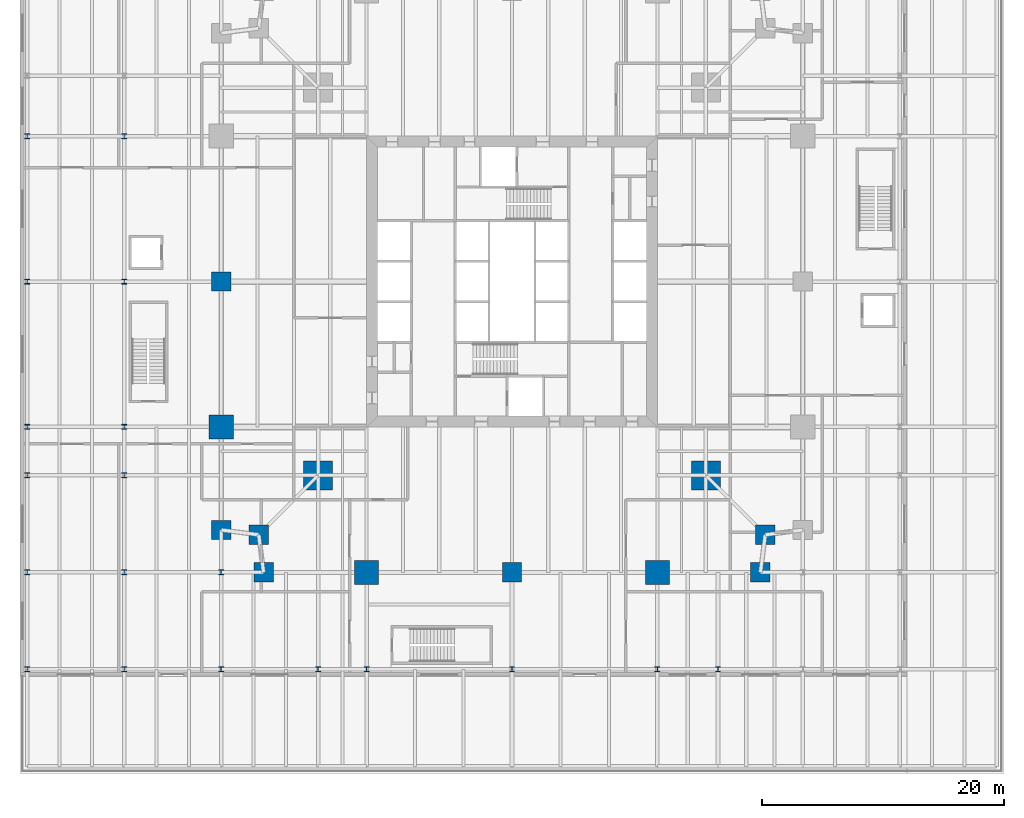
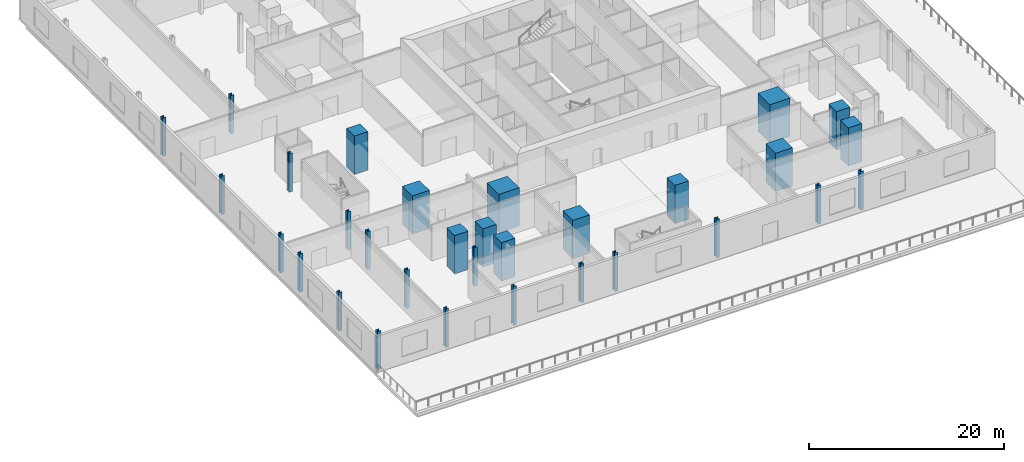
# One storey, part 1 of 18: 31 columns.
"""IFC4 building model written with IfcOpenShell, lengths in metres."""

import ifcopenshell
import ifcopenshell.guid

model = None  # the IFC model being written
_history = None  # IfcOwnerHistory: only IFC2X3 demands one
_inside = {}  # id of a spatial element -> (the spatial element, [elements in it])
_under = {}  # id of a project, library or spatial element -> (it, [spatial elements below it])
_declared = {}  # id of a project -> (the project, [libraries it declares])
_typed = {}  # id of a type object -> (the type object, [elements of that type])
_made_of = {}  # id of a material, layer set ... -> (it, [elements and type objects made of it])


def new_model(schema):
    """Start an empty IFC model of exactly this schema.

    Asked for "IFC4X3", IfcOpenShell would pick the latest addendum, in which some entities
    have other attributes; the version numbers below select the first issue.
    IFC2X3 requires an IfcOwnerHistory on every rooted entity: one is made here for all.
    """
    global model, _history
    if schema == "IFC4X3":
        model = ifcopenshell.file(schema_version=(4, 3, 0, 0))
    else:
        model = ifcopenshell.file(schema=schema)
    _inside.clear()
    _under.clear()
    _declared.clear()
    _typed.clear()
    _made_of.clear()
    _history = None
    if model.schema == "IFC2X3":
        org = make("IfcOrganization", Name="unknown")
        user = make(
            "IfcPersonAndOrganization",
            ThePerson=make("IfcPerson", FamilyName="unknown"),
            TheOrganization=org,
        )
        app = make(
            "IfcApplication",
            ApplicationDeveloper=org,
            Version="unknown",
            ApplicationFullName="unknown",
            ApplicationIdentifier="unknown",
        )
        _history = make(
            "IfcOwnerHistory",
            OwningUser=user,
            OwningApplication=app,
            ChangeAction="ADDED",
            CreationDate=0,
        )
    return model


def make(cls, **values):
    """One entity of the class cls with the attributes given. An attribute that is None is left unset."""
    return model.create_entity(
        cls, **{name: value for name, value in values.items() if value is not None}
    )


def rooted(cls, **values):
    """An entity with a GlobalId (a new one), such as an element, a storey or a relation."""
    return make(cls, GlobalId=ifcopenshell.guid.new(), OwnerHistory=_history, **values)


def si_unit(unit_type, name, prefix=None):
    """IfcSIUnit, for example si_unit("LENGTHUNIT", "METRE", prefix="MILLI")."""
    return make("IfcSIUnit", UnitType=unit_type, Prefix=prefix, Name=name)


def assignment(units):
    """IfcUnitAssignment: the units of a project."""
    return None if units is None else make("IfcUnitAssignment", Units=units)


def point(xyz):
    """IfcCartesianPoint."""
    return None if xyz is None else make("IfcCartesianPoint", Coordinates=xyz)


def direction(xyz):
    """IfcDirection."""
    return None if xyz is None else make("IfcDirection", DirectionRatios=xyz)


def frame(location, z_axis=None, x_axis=None):
    """IfcAxis2Placement3D, a coordinate frame: its origin and axes. An axis left out is left unset."""
    return make(
        "IfcAxis2Placement3D",
        Location=point(location),
        Axis=direction(z_axis),
        RefDirection=direction(x_axis),
    )


def frame_2d(location, x_axis=None):
    """IfcAxis2Placement2D, a coordinate frame in the plane: its origin and x axis."""
    return make(
        "IfcAxis2Placement2D", Location=point(location), RefDirection=direction(x_axis)
    )


def origin():
    """The frame at (0, 0, 0) with its axes left unset."""
    return frame((0.0, 0.0, 0.0))


def origin_2d():
    """The frame at (0, 0) in the plane with its x axis left unset."""
    return frame_2d((0.0, 0.0))


def place(relative_to, where):
    """IfcLocalPlacement: puts the frame where relative to a parent placement (None: the world)."""
    return make(
        "IfcLocalPlacement", PlacementRelTo=relative_to, RelativePlacement=where
    )


def context(
    kind, dimensions, precision=None, world=None, true_north=None, identifier=None
):
    """IfcGeometricRepresentationContext, for example the 3D "Model" context."""
    return make(
        "IfcGeometricRepresentationContext",
        ContextIdentifier=identifier,
        ContextType=kind,
        CoordinateSpaceDimension=dimensions,
        Precision=precision,
        WorldCoordinateSystem=world,
        TrueNorth=true_north,
    )


def subcontext(parent, identifier, kind, view, scale=None):
    """IfcGeometricRepresentationSubContext, for example "Body" below "Model"."""
    return make(
        "IfcGeometricRepresentationSubContext",
        ContextIdentifier=identifier,
        ContextType=kind,
        ParentContext=parent,
        TargetScale=scale,
        TargetView=view,
    )


def project(units=None, contexts=None):
    """IfcProject with its units and contexts."""
    return rooted(
        "IfcProject",
        Name="project",
        RepresentationContexts=contexts,
        UnitsInContext=assignment(units),
    )


def spatial(cls, under=None, at=None, **own):
    """A site, building, storey or space (cls), placed at a placement, below another one or the project."""
    s = rooted(cls, ObjectPlacement=at, **own)
    if under is not None:
        _under.setdefault(under.id(), (under, []))[1].append(s)
    return s


def profile(cls, at=None, kind="AREA", **sizes):
    """A parametric profile (cls). Its sizes go by their IFC names, for example OverallWidth=200.0."""
    return make(cls, ProfileType=kind, Position=at, **sizes)


def rectangle(**sizes):
    """IfcRectangleProfileDef."""
    return profile("IfcRectangleProfileDef", **sizes)


def i_section(**sizes):
    """IfcIShapeProfileDef."""
    return profile("IfcIShapeProfileDef", **sizes)


def extrude(swept, where, along, depth):
    """IfcExtrudedAreaSolid: the profile swept, set in the frame where, extruded along a direction by depth."""
    return make(
        "IfcExtrudedAreaSolid",
        SweptArea=swept,
        Position=where,
        ExtrudedDirection=direction(along),
        Depth=depth,
    )


def shape(context_of_items, identifier, shape_type, items):
    """IfcShapeRepresentation: the items that make up one representation, for example the "Body"."""
    return make(
        "IfcShapeRepresentation",
        ContextOfItems=context_of_items,
        RepresentationIdentifier=identifier,
        RepresentationType=shape_type,
        Items=items,
    )


def material(Name=None, Category=None):
    """IfcMaterial."""
    return make("IfcMaterial", Name=Name, Category=Category)


def material_profile(
    of_material, cross_section, Name=None, Category=None, Priority=None
):
    """IfcMaterialProfile: a cross section and its material."""
    return make(
        "IfcMaterialProfile",
        Name=Name,
        Material=of_material,
        Profile=cross_section,
        Priority=Priority,
        Category=Category,
    )


def profile_set(profiles, Name=None, composite=None):
    """IfcMaterialProfileSet."""
    return make(
        "IfcMaterialProfileSet",
        Name=Name,
        MaterialProfiles=profiles,
        CompositeProfile=composite,
    )


def made_of(thing, what):
    """Note that an element or type object is made of a material, layer set ...; save() writes the relation."""
    if what is not None:
        _made_of.setdefault(what.id(), (what, []))[1].append(thing)
    return thing


def type_object(cls, material=None, **own):
    """A type object (cls), such as IfcWallType, which elements share."""
    return made_of(rooted(cls, **own), material)


def element(
    cls,
    number,
    at=None,
    inside=None,
    cuts=None,
    type_object=None,
    material=None,
    context=None,
    identifier="Body",
    shape_type=None,
    held_by="IfcProductDefinitionShape",
    body=None,
    shapes=None,
    **own,
):
    """One element of the class cls, such as IfcWall. Its Tag is "e" and its number.

    at: its placement. inside: the storey or other place that contains it. cuts: it is an
    opening in that element (IfcRelVoidsElement). A single representation is given by context,
    identifier, shape_type and body (its items); several are given by shapes. held_by: the class
    of the entity that holds the representations. save() writes the other relations.
    """
    e = rooted(cls, Tag="e%d" % number, ObjectPlacement=at, **own)
    if body is not None:
        shapes = [shape(context, identifier, shape_type, body)]
    if shapes is not None:
        e.Representation = make(held_by, Representations=shapes)
    if inside is not None:
        _inside.setdefault(inside.id(), (inside, []))[1].append(e)
    if cuts is not None:
        rooted(
            "IfcRelVoidsElement", RelatingBuildingElement=cuts, RelatedOpeningElement=e
        )
    if type_object is not None:
        _typed.setdefault(type_object.id(), (type_object, []))[1].append(e)
    return made_of(e, material)


def aggregate(whole, parts):
    """IfcRelAggregates: a whole, such as a stair, and the parts it consists of."""
    return rooted("IfcRelAggregates", RelatingObject=whole, RelatedObjects=parts)


def save(model, path):
    """Write the relations noted so far, then the file.

    IfcRelAggregates (storeys below a building ...), IfcRelContainedInSpatialStructure (elements
    in a storey), IfcRelDefinesByType, IfcRelAssociatesMaterial and IfcRelDeclares: one each for
    every whole, place, type object, material and project.
    """
    for whole, parts in _under.values():
        aggregate(whole, parts)
    for where, things in _inside.values():
        rooted(
            "IfcRelContainedInSpatialStructure",
            RelatedElements=things,
            RelatingStructure=where,
        )
    for kind, things in _typed.values():
        rooted("IfcRelDefinesByType", RelatedObjects=things, RelatingType=kind)
    for what, things in _made_of.values():
        rooted("IfcRelAssociatesMaterial", RelatedObjects=things, RelatingMaterial=what)
    for by, libraries in _declared.values():
        rooted("IfcRelDeclares", RelatingContext=by, RelatedDefinitions=libraries)
    model.write(path)


model = new_model("IFC4")

# Units and contexts
model_context = context("Model", 3, precision=1e-05, world=origin(), true_north=direction((0.0, 1.0)))
body_context = subcontext(model_context, "Body", "Model", "MODEL_VIEW")
ifc_project = project(units=[si_unit("LENGTHUNIT", "METRE"), si_unit("AREAUNIT", "SQUARE_METRE"), si_unit("VOLUMEUNIT", "CUBIC_METRE"), si_unit("PLANEANGLEUNIT", "RADIAN"), si_unit("MASSUNIT", "GRAM", prefix="KILO")], contexts=[model_context])

# Site, building, storey
site_placement = place(None, origin())
site = spatial("IfcSite", under=ifc_project, at=site_placement, CompositionType="ELEMENT")
building_placement = place(site_placement, origin())
building = spatial("IfcBuilding", under=site, at=building_placement, Name="Fenwick Lantern Interchange", CompositionType="ELEMENT")
storey_placement = place(building_placement, frame((0.0, 0.0, 11.800048828125)))
storey = spatial("IfcBuildingStorey", under=building, at=storey_placement, Name="L02", CompositionType="ELEMENT", Elevation=11.800048828125)

# Columns
ifc_material_1 = material(Name="Concrete f'c 70 MPa", Category="concrete")
ifc_material_profile_1 = material_profile(ifc_material_1, rectangle(XDim=2.39990234375, YDim=2.39990234375, at=origin_2d()), Name="RC2400X2400")
ifc_profile_set_1 = profile_set([ifc_material_profile_1], Name="Concrete f'c 70 MPa")
column_type_1 = type_object("IfcColumnType", Name="MEGA COLUMN RC2400X2400", PredefinedType="COLUMN", material=ifc_profile_set_1)
for number, where, z_axis, x_axis, name in (
    (1, (9.0, 9.0, 0.0), (0.0, 0.0, 1.0), (1.0, 0.0, 0.0), "L02/M1"),
    (2, (41.0, 9.0, 0.0), (0.0, 0.0, 1.0), (1.0, 0.0, 0.0), "L02/M2"),
):
    element("IfcColumn", number, at=place(storey_placement, frame(where, z_axis=z_axis, x_axis=x_axis)), inside=storey, type_object=column_type_1, Name=name, PredefinedType="COLUMN", context=body_context, shape_type="SweptSolid", body=[
        extrude(rectangle(XDim=2.39990234375, YDim=2.39990234375, at=origin_2d()), origin(), (0.0, 0.0, 1.0), 4.800048828125),
    ])
ifc_material_profile_2 = material_profile(ifc_material_1, rectangle(XDim=1.60009765625, YDim=1.60009765625, at=origin_2d()), Name="RC1600X1600")
ifc_profile_set_2 = profile_set([ifc_material_profile_2], Name="Concrete f'c 70 MPa")
column_type_2 = type_object("IfcColumnType", Name="PERIMETER COLUMN RC1600X1600", PredefinedType="COLUMN", material=ifc_profile_set_2)
for number, where, z_axis, x_axis, name in (
    (3, (4.5, 1.0, 0.0), (0.0, 0.0, 1.0), (1.0, 0.0, 0.0), "L02/CS1"),
    (4, (25.0, 1.0, 0.0), (0.0, 0.0, 1.0), (1.0, 0.0, 0.0), "L02/CS3"),
    (5, (45.5, 1.0, 0.0), (0.0, 0.0, 1.0), (1.0, 0.0, 0.0), "L02/CS5"),
    (6, (45.89990234375, 4.10009765625, 0.0), (0.0, 0.0, 1.0), (1.0, 0.0, 0.0), "L02/CSR"),
    (7, (1.0, 25.0, 0.0), (0.0, 0.0, 1.0), (1.0, 0.0, 0.0), "L02/CW3"),
    (8, (1.0, 4.5, 0.0), (0.0, 0.0, 1.0), (1.0, 0.0, 0.0), "L02/CW5"),
    (9, (4.10009765625, 4.10009765625, 0.0), (0.0, 0.0, 1.0), (1.0, 0.0, 0.0), "L02/CWR"),
):
    element("IfcColumn", number, at=place(storey_placement, frame(where, z_axis=z_axis, x_axis=x_axis)), inside=storey, type_object=column_type_2, Name=name, PredefinedType="COLUMN", context=body_context, shape_type="SweptSolid", body=[
        extrude(rectangle(XDim=1.60009765625, YDim=1.60009765625, at=origin_2d()), origin(), (0.0, 0.0, 1.0), 4.800048828125),
    ])
ifc_material_profile_3 = material_profile(ifc_material_1, rectangle(XDim=2.0, YDim=2.0, at=origin_2d()), Name="RC2000X2000")
ifc_profile_set_3 = profile_set([ifc_material_profile_3], Name="Concrete f'c 70 MPa")
column_type_3 = type_object("IfcColumnType", Name="PERIMETER COLUMN RC2000X2000", PredefinedType="COLUMN", material=ifc_profile_set_3)
for number, where, z_axis, x_axis, name in (
    (10, (13.0, 1.0, 0.0), (0.0, 0.0, 1.0), (1.0, 0.0, 0.0), "L02/CS2"),
    (11, (37.0, 1.0, 0.0), (0.0, 0.0, 1.0), (1.0, 0.0, 0.0), "L02/CS4"),
    (12, (1.0, 13.0, 0.0), (0.0, 0.0, 1.0), (1.0, 0.0, 0.0), "L02/CW4"),
):
    element("IfcColumn", number, at=place(storey_placement, frame(where, z_axis=z_axis, x_axis=x_axis)), inside=storey, type_object=column_type_3, Name=name, PredefinedType="COLUMN", context=body_context, shape_type="SweptSolid", body=[
        extrude(rectangle(XDim=2.0, YDim=2.0, at=origin_2d()), origin(), (0.0, 0.0, 1.0), 4.800048828125),
    ])
ifc_material_2 = material(Name="Steel ASTM A992 Grade 50", Category="steel")
ifc_material_profile_4 = material_profile(ifc_material_2, i_section(OverallWidth=0.406494140625, OverallDepth=0.41650390625, WebThickness=0.030029296875, FlangeThickness=0.048095703125, at=origin_2d()), Name="W14X257")
ifc_profile_set_4 = profile_set([ifc_material_profile_4], Name="Steel ASTM A992 Grade 50")
column_type_4 = type_object("IfcColumnType", Name="PODIUM COLUMN W14X257", PredefinedType="COLUMN", material=ifc_profile_set_4)
for number, where, z_axis, x_axis, name in (
    (13, (-15.0, -7.0, 0.0), (0.0, 0.0, 1.0), (1.0, 0.0, 0.0), "L02/PB1"),
    (14, (-15.0, 1.0, 0.0), (0.0, 0.0, 1.0), (1.0, 0.0, 0.0), "L02/PC1"),
    (15, (-15.0, 9.0, 0.0), (0.0, 0.0, 1.0), (1.0, 0.0, 0.0), "L02/PD1"),
    (16, (-15.0, 13.0, 0.0), (0.0, 0.0, 1.0), (1.0, 0.0, 0.0), "L02/PE1"),
    (17, (-15.0, 25.0, 0.0), (0.0, 0.0, 1.0), (1.0, 0.0, 0.0), "L02/PF1"),
    (18, (-15.0, 37.0, 0.0), (0.0, 0.0, 1.0), (1.0, 0.0, 0.0), "L02/PG1"),
    (19, (-7.0, -7.0, 0.0), (0.0, 0.0, 1.0), (1.0, 0.0, 0.0), "L02/PB2"),
    (20, (-7.0, 1.0, 0.0), (0.0, 0.0, 1.0), (1.0, 0.0, 0.0), "L02/PC2"),
    (21, (-7.0, 9.0, 0.0), (0.0, 0.0, 1.0), (1.0, 0.0, 0.0), "L02/PD2"),
    (22, (-7.0, 13.0, 0.0), (0.0, 0.0, 1.0), (1.0, 0.0, 0.0), "L02/PE2"),
    (23, (-7.0, 25.0, 0.0), (0.0, 0.0, 1.0), (1.0, 0.0, 0.0), "L02/PF2"),
    (24, (-7.0, 37.0, 0.0), (0.0, 0.0, 1.0), (1.0, 0.0, 0.0), "L02/PG2"),
    (25, (1.0, -7.0, 0.0), (0.0, 0.0, 1.0), (1.0, 0.0, 0.0), "L02/PB3"),
    (26, (1.0, 1.0, 0.0), (0.0, 0.0, 1.0), (1.0, 0.0, 0.0), "L02/PC3"),
    (27, (9.0, -7.0, 0.0), (0.0, 0.0, 1.0), (1.0, 0.0, 0.0), "L02/PB4"),
    (28, (13.0, -7.0, 0.0), (0.0, 0.0, 1.0), (1.0, 0.0, 0.0), "L02/PB5"),
    (29, (25.0, -7.0, 0.0), (0.0, 0.0, 1.0), (1.0, 0.0, 0.0), "L02/PB6"),
    (30, (37.0, -7.0, 0.0), (0.0, 0.0, 1.0), (1.0, 0.0, 0.0), "L02/PB7"),
    (31, (42.0, -7.0, 0.0), (0.0, 0.0, 1.0), (1.0, 0.0, 0.0), "L02/PB8"),
):
    element("IfcColumn", number, at=place(storey_placement, frame(where, z_axis=z_axis, x_axis=x_axis)), inside=storey, type_object=column_type_4, Name=name, PredefinedType="COLUMN", context=body_context, shape_type="SweptSolid", body=[
        extrude(i_section(OverallWidth=0.406494140625, OverallDepth=0.41650390625, WebThickness=0.030029296875, FlangeThickness=0.048095703125, at=origin_2d()), origin(), (0.0, 0.0, 1.0), 4.800048828125),
    ])

save(model, "model.ifc")
